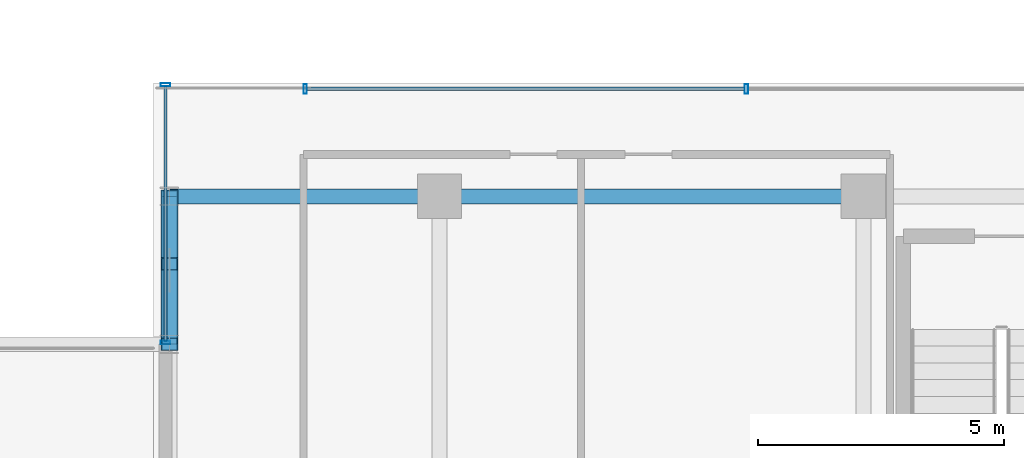
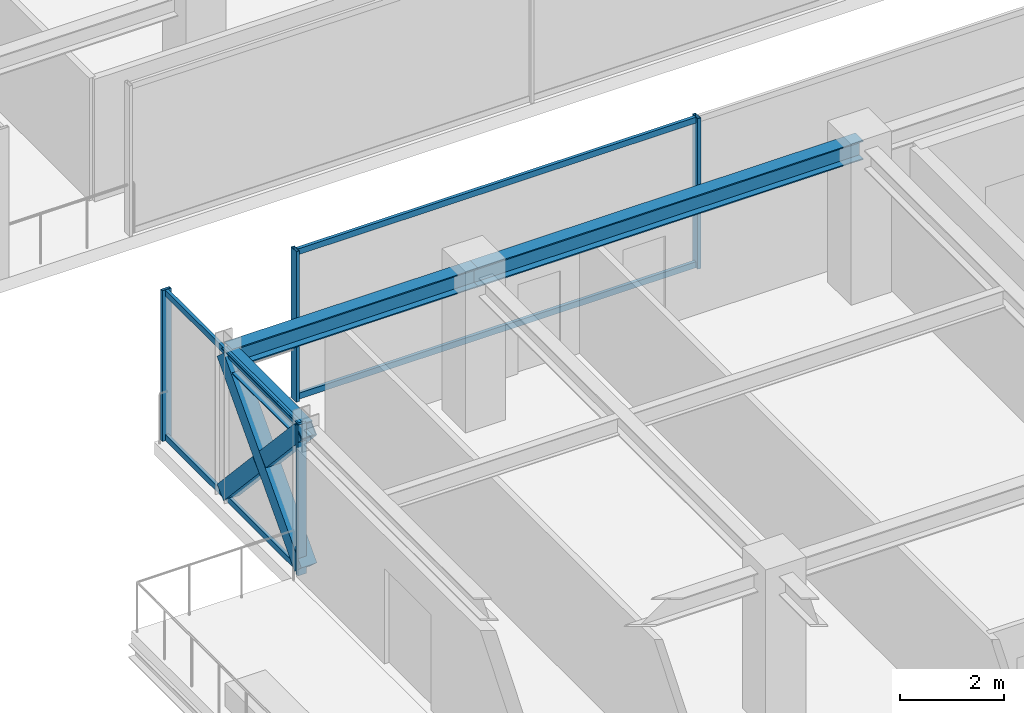
# One storey, part 9 of 37: 11 members, 3 beams, 2 elements without a shape of their own.
"""IFC4 building model written with IfcOpenShell, lengths in metres."""

from ifc_helpers import new_model, si_unit, direction, frame, origin, origin_2d, place, context, subcontext, project, spatial, hollow_rectangle, i_section, extrude, source, transform, mapped, material, material_profile, profile_set, type_object, element, aggregate, save


model = new_model("IFC4")

# Units and contexts
model_context = context("Model", 3, precision=1e-05, world=origin(), true_north=direction((0.0, 1.0)))
body_context = subcontext(model_context, "Body", "Model", "MODEL_VIEW")
ifc_project = project(units=[si_unit("LENGTHUNIT", "METRE"), si_unit("AREAUNIT", "SQUARE_METRE"), si_unit("VOLUMEUNIT", "CUBIC_METRE"), si_unit("PLANEANGLEUNIT", "RADIAN"), si_unit("MASSUNIT", "GRAM", prefix="KILO")], contexts=[model_context])

# Site, building, storey
site_placement = place(None, origin())
site = spatial("IfcSite", under=ifc_project, at=site_placement, CompositionType="ELEMENT")
building_placement = place(site_placement, origin())
building = spatial("IfcBuilding", under=site, at=building_placement, Name="Nahalor Promenade Grand Hotel", CompositionType="ELEMENT")
storey_placement = place(building_placement, frame((0.0, 0.0, 308.050048828125)))
storey = spatial("IfcBuildingStorey", under=building, at=storey_placement, Name="L79", CompositionType="ELEMENT", Elevation=308.050048828125)

# Beams
ifc_material_1 = material(Name="Steel S355JR", Category="steel")
ifc_material_profile_1 = material_profile(ifc_material_1, i_section(OverallWidth=0.3, OverallDepth=0.45, WebThickness=0.014, FlangeThickness=0.026, at=origin_2d()), Name="HEB 450")
ifc_profile_set_1 = profile_set([ifc_material_profile_1], Name="Steel S355JR")
beam_type_1 = type_object("IfcBeamType", Name="Beam-Girder-HEB450", PredefinedType="BEAM", material=ifc_profile_set_1)
shared_shape_1 = source(origin(), body_context, "Body", "SweptSolid", [
    extrude(i_section(OverallWidth=0.3, OverallDepth=0.45, WebThickness=0.014, FlangeThickness=0.026, at=origin_2d()), origin(), (0.0, 0.0, 1.0), 8.60009765625),
])
beam_1_placement = place(storey_placement, frame((-17.0, -5.39990234375, 3.324951171875), z_axis=(1.0, 0.0, 0.0), x_axis=(0.0, 1.0, 0.0)))
element("IfcBeam", 1, at=beam_1_placement, inside=storey, type_object=beam_type_1, Name="BM-L79-GX-1-1", PredefinedType="BEAM", context=body_context, shape_type="MappedRepresentation", body=[
    mapped(shared_shape_1, transform((0.0, 0.0, 0.0), scale=1.0)),
])
shared_shape_2 = source(origin(), body_context, "Body", "SweptSolid", [
    extrude(i_section(OverallWidth=0.3, OverallDepth=0.45, WebThickness=0.014, FlangeThickness=0.026, at=origin_2d()), origin(), (0.0, 0.0, 1.0), 5.47998046875),
])
beam_2_placement = place(storey_placement, frame((-22.47998046875, -5.39990234375, 3.324951171875), z_axis=(1.0, 0.0, 0.0), x_axis=(0.0, 1.0, 0.0)))
element("IfcBeam", 2, at=beam_2_placement, inside=storey, type_object=beam_type_1, Name="BM-L79-GX-1-0", PredefinedType="BEAM", context=body_context, shape_type="MappedRepresentation", body=[
    mapped(shared_shape_2, transform((0.0, 0.0, 0.0), scale=1.0)),
])
ifc_material_profile_2 = material_profile(ifc_material_1, i_section(OverallWidth=0.3, OverallDepth=0.36, WebThickness=0.0125, FlangeThickness=0.0225, at=origin_2d()), Name="HEB 360")
ifc_profile_set_2 = profile_set([ifc_material_profile_2], Name="Steel S355JR")
beam_type_2 = type_object("IfcBeamType", Name="Beam-Spandrel-HEB360", PredefinedType="SPANDREL", material=ifc_profile_set_2)
shared_shape_3 = source(origin(), body_context, "Body", "SweptSolid", [
    extrude(i_section(OverallWidth=0.3, OverallDepth=0.36, WebThickness=0.0125, FlangeThickness=0.0225, at=origin_2d()), origin(), (0.0, 0.0, 1.0), 3.0),
])
beam_3_placement = place(storey_placement, frame((-22.47998046875, -8.39990234375, 3.369873046875), z_axis=(0.0, 1.0, 0.0), x_axis=(-1.0, 0.0, 0.0)))
element("IfcBeam", 3, at=beam_3_placement, inside=storey, type_object=beam_type_2, Name="BM-L79-SP-W-1", PredefinedType="SPANDREL", context=body_context, shape_type="MappedRepresentation", body=[
    mapped(shared_shape_3, transform((0.0, 0.0, 0.0), scale=1.0)),
])

# Members
ifc_material_profile_3 = material_profile(ifc_material_1, hollow_rectangle(XDim=0.35, YDim=0.35, WallThickness=0.02, at=origin_2d()), Name="SHS 350x350x20")
ifc_profile_set_3 = profile_set([ifc_material_profile_3], Name="Steel S355JR")
member_type_1 = type_object("IfcMemberType", Name="Mem-VoidBrace-SHS350", PredefinedType="BRACE", material=ifc_profile_set_3)
shared_shape_4 = source(origin(), body_context, "Body", "SweptSolid", [
    extrude(hollow_rectangle(XDim=0.35, YDim=0.35, WallThickness=0.02, at=origin_2d()), origin(), (0.0, 0.0, 1.0), 4.4228515625),
])
member_1_placement = place(storey_placement, frame((-22.47998046875, -8.39990234375, 0.14990234375), z_axis=(0.0, 0.678280102733, 0.734803444627), x_axis=(-1.0, 0.0, 0.0)))
element("IfcMember", 4, at=member_1_placement, inside=storey, type_object=member_type_1, Name="EXO-L79-VX1-W0", PredefinedType="BRACE", context=body_context, shape_type="MappedRepresentation", body=[
    mapped(shared_shape_4, transform((0.0, 0.0, 0.0), scale=1.0)),
])
shared_shape_5 = source(origin(), body_context, "Body", "SweptSolid", [
    extrude(hollow_rectangle(XDim=0.35, YDim=0.35, WallThickness=0.02, at=origin_2d()), origin(), (0.0, 0.0, 1.0), 2.02392578125),
])
for number, where, z_axis, x_axis, name in (
    (5, (-22.47998046875, -5.39990234375, 0.14990234375), (0.0, -0.678255053132, 0.734826566545), (1.0, 0.0, 0.0), "EXO-L79-VX2-W0A"),
    (6, (-22.47998046875, -7.027099609375, 1.912841796875), (0.0, -0.678315173958, 0.734771069639), (1.0, 0.0, 0.0), "EXO-L79-VX2-W0B"),
):
    element("IfcMember", number, at=place(storey_placement, frame(where, z_axis=z_axis, x_axis=x_axis)), inside=storey, type_object=member_type_1, Name=name, PredefinedType="BRACE", context=body_context, shape_type="MappedRepresentation", body=[
        mapped(shared_shape_5, transform((0.0, 0.0, 0.0), scale=1.0)),
    ])

# Curtain wall, members
ifc_material_2 = material(Name="Anodised Bronze Aluminium EN AW-6063 T6", Category="aluminium")
curtain_wall_type = type_object("IfcCurtainWallType", Name="CW3 Elliptical-Void Collar Unitised Curtain Wall", PredefinedType="USERDEFINED", material=ifc_material_2)
curtain_wall_1_placement = place(storey_placement, origin())
curtain_wall_1 = element("IfcCurtainWall", 7, at=curtain_wall_1_placement, inside=storey, type_object=curtain_wall_type, Name="L79 Curtain Wall CW-L79-W-3", ObjectType="UNITISED_CURTAIN_WALL", PredefinedType="USERDEFINED")
ifc_material_profile_4 = material_profile(ifc_material_2, hollow_rectangle(XDim=0.07, YDim=0.14, WallThickness=0.004, at=origin_2d()), Name="CWT 70x140x4")
ifc_profile_set_4 = profile_set([ifc_material_profile_4], Name="Anodised Bronze Aluminium EN AW-6063 T6")
member_type_2 = type_object("IfcMemberType", Name="CWT3 Void Collar Transom 70x140", PredefinedType="USERDEFINED", material=ifc_profile_set_4)
shared_shape_6 = source(origin(), body_context, "Body", "SweptSolid", [
    extrude(hollow_rectangle(XDim=0.07, YDim=0.14, WallThickness=0.004, at=origin_2d()), origin(), (0.0, 0.0, 1.0), 5.16015625),
])
member_2_placement = place(storey_placement, frame((-22.56005859375, -8.330078125, 0.070068359375), z_axis=(0.0, 1.0, 0.0), x_axis=(-1.0, 0.0, 0.0)))
member_2 = element("IfcMember", 8, at=member_2_placement, type_object=member_type_2, Name="CW-L79-W-3 Transom 0-0", ObjectType="TRANSOM", PredefinedType="USERDEFINED", context=body_context, shape_type="MappedRepresentation", body=[
    mapped(shared_shape_6, transform((0.0, 0.0, 0.0), scale=1.0)),
])
member_3_placement = place(storey_placement, frame((-22.56005859375, -8.330078125, 3.47998046875), z_axis=(0.0, 1.0, 0.0), x_axis=(-1.0, 0.0, 0.0)))
member_3 = element("IfcMember", 9, at=member_3_placement, type_object=member_type_2, Name="CW-L79-W-3 Transom 0-1", ObjectType="TRANSOM", PredefinedType="USERDEFINED", context=body_context, shape_type="MappedRepresentation", body=[
    mapped(shared_shape_6, transform((0.0, 0.0, 0.0), scale=1.0)),
])

curtain_wall_2_placement = place(storey_placement, origin())
curtain_wall_2 = element("IfcCurtainWall", 10, at=curtain_wall_2_placement, inside=storey, type_object=curtain_wall_type, Name="L79 Curtain Wall CW-L79-VOID-WS1", ObjectType="UNITISED_CURTAIN_WALL", PredefinedType="USERDEFINED")
shared_shape_7 = source(origin(), body_context, "Body", "SweptSolid", [
    extrude(hollow_rectangle(XDim=0.07, YDim=0.14, WallThickness=0.004, at=origin_2d()), origin(), (0.0, 0.0, 1.0), 8.881591796875),
])
member_4_placement = place(storey_placement, frame((-19.68994140625, -3.219970703125, 0.070068359375), z_axis=(1.0, 0.0, 0.0), x_axis=(0.0, 1.0, 0.0)))
member_4 = element("IfcMember", 11, at=member_4_placement, type_object=member_type_2, Name="CW-L79-VOID-WS1 Transom 0-0", ObjectType="TRANSOM", PredefinedType="USERDEFINED", context=body_context, shape_type="MappedRepresentation", body=[
    mapped(shared_shape_7, transform((0.0, 0.0, 0.0), scale=1.0)),
])
member_5_placement = place(storey_placement, frame((-19.68994140625, -3.219970703125, 3.47998046875), z_axis=(1.0, 0.0, 0.0), x_axis=(0.0, 1.0, 0.0)))
member_5 = element("IfcMember", 12, at=member_5_placement, type_object=member_type_2, Name="CW-L79-VOID-WS1 Transom 0-1", ObjectType="TRANSOM", PredefinedType="USERDEFINED", context=body_context, shape_type="MappedRepresentation", body=[
    mapped(shared_shape_7, transform((0.0, 0.0, 0.0), scale=1.0)),
])

# Member
ifc_material_profile_5 = material_profile(ifc_material_2, hollow_rectangle(XDim=0.07, YDim=0.2, WallThickness=0.005, at=origin_2d()), Name="CWM 70x200x5")
ifc_profile_set_5 = profile_set([ifc_material_profile_5], Name="Anodised Bronze Aluminium EN AW-6063 T6")
member_type_3 = type_object("IfcMemberType", Name="CWM3 Void Collar Mullion 70x200", PredefinedType="MULLION", material=ifc_profile_set_5)
shared_shape_8 = source(origin(), body_context, "Body", "SweptSolid", [
    extrude(hollow_rectangle(XDim=0.07, YDim=0.2, WallThickness=0.005, at=origin_2d()), origin(), (0.0, 0.0, 1.0), 3.550048828125),
])
member_6_placement = place(storey_placement, frame((-22.56005859375, -8.364990234375, 0.0), z_axis=(0.0, 0.0, 1.0), x_axis=(0.0, 1.0, 0.0)))
member_6 = element("IfcMember", 13, at=member_6_placement, type_object=member_type_3, Name="CW-L79-W-3 Mullion 0", PredefinedType="MULLION", context=body_context, shape_type="MappedRepresentation", body=[
    mapped(shared_shape_8, transform((0.0, 0.0, 0.0), scale=1.0)),
])

member_7_placement = place(storey_placement, frame((-22.56005859375, -3.135009765625, 0.0), z_axis=(0.0, 0.0, 1.0), x_axis=(0.0, 1.0, 0.0)))
member_7 = element("IfcMember", 14, at=member_7_placement, type_object=member_type_3, Name="CW-L79-W-3 Mullion 1", PredefinedType="MULLION", context=body_context, shape_type="MappedRepresentation", body=[
    mapped(shared_shape_8, transform((0.0, 0.0, 0.0), scale=1.0)),
])

aggregate(curtain_wall_1, [member_6, member_7, member_2, member_3])

member_8_placement = place(storey_placement, frame((-19.72509765625, -3.219970703125, 0.0), z_axis=(0.0, 0.0, 1.0), x_axis=(1.0, 0.0, 0.0)))
member_8 = element("IfcMember", 15, at=member_8_placement, type_object=member_type_3, Name="CW-L79-VOID-WS1 Mullion 0", PredefinedType="MULLION", context=body_context, shape_type="MappedRepresentation", body=[
    mapped(shared_shape_8, transform((0.0, 0.0, 0.0), scale=1.0)),
])

member_9_placement = place(storey_placement, frame((-10.7734375, -3.219970703125, 0.0), z_axis=(0.0, 0.0, 1.0), x_axis=(1.0, 0.0, 0.0)))
member_9 = element("IfcMember", 16, at=member_9_placement, type_object=member_type_3, Name="CW-L79-VOID-WS1 Mullion 1", PredefinedType="MULLION", context=body_context, shape_type="MappedRepresentation", body=[
    mapped(shared_shape_8, transform((0.0, 0.0, 0.0), scale=1.0)),
])

aggregate(curtain_wall_2, [member_8, member_9, member_4, member_5])

save(model, "model.ifc")
